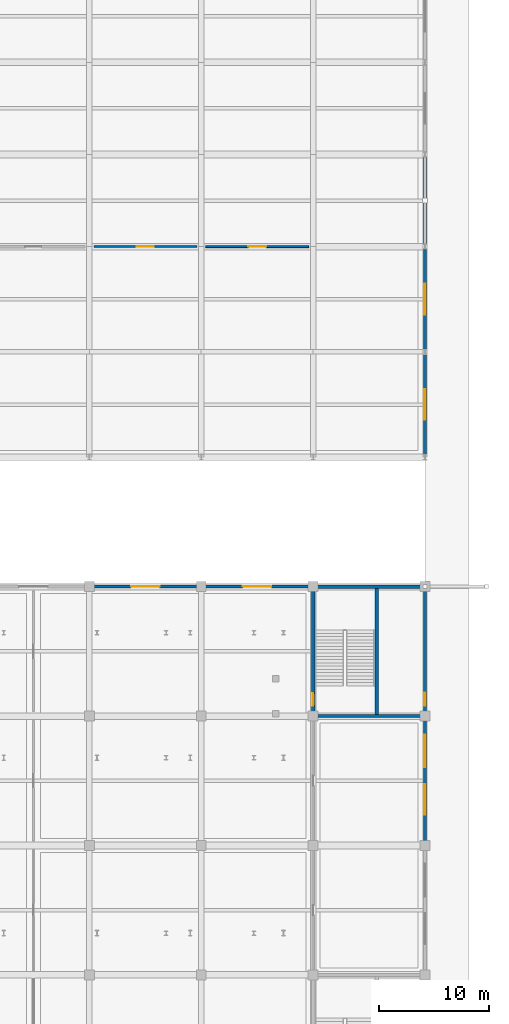
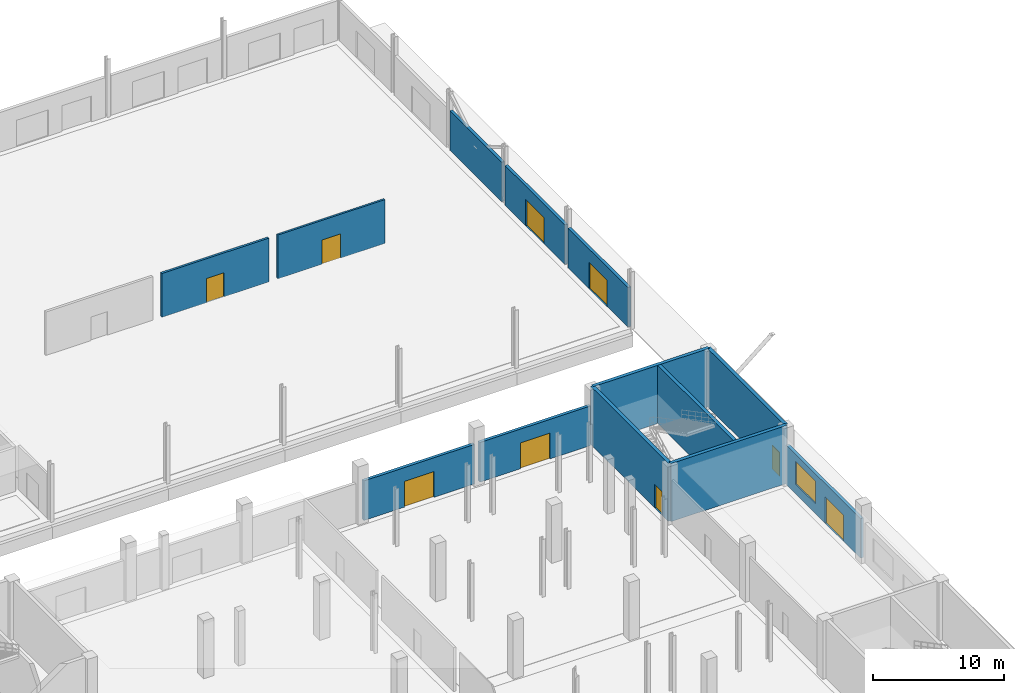
# One storey, part 96 of 124: 13 walls, 9 doors, 1 window, 10 openings.
"""IFC4 building model written with IfcOpenShell, lengths in metres."""

import ifcopenshell
import ifcopenshell.guid

model = None  # the IFC model being written
_history = None  # IfcOwnerHistory: only IFC2X3 demands one
_inside = {}  # id of a spatial element -> (the spatial element, [elements in it])
_under = {}  # id of a project, library or spatial element -> (it, [spatial elements below it])
_declared = {}  # id of a project -> (the project, [libraries it declares])
_typed = {}  # id of a type object -> (the type object, [elements of that type])
_made_of = {}  # id of a material, layer set ... -> (it, [elements and type objects made of it])


def new_model(schema):
    """Start an empty IFC model of exactly this schema.

    Asked for "IFC4X3", IfcOpenShell would pick the latest addendum, in which some entities
    have other attributes; the version numbers below select the first issue.
    IFC2X3 requires an IfcOwnerHistory on every rooted entity: one is made here for all.
    """
    global model, _history
    if schema == "IFC4X3":
        model = ifcopenshell.file(schema_version=(4, 3, 0, 0))
    else:
        model = ifcopenshell.file(schema=schema)
    _inside.clear()
    _under.clear()
    _declared.clear()
    _typed.clear()
    _made_of.clear()
    _history = None
    if model.schema == "IFC2X3":
        org = make("IfcOrganization", Name="unknown")
        user = make(
            "IfcPersonAndOrganization",
            ThePerson=make("IfcPerson", FamilyName="unknown"),
            TheOrganization=org,
        )
        app = make(
            "IfcApplication",
            ApplicationDeveloper=org,
            Version="unknown",
            ApplicationFullName="unknown",
            ApplicationIdentifier="unknown",
        )
        _history = make(
            "IfcOwnerHistory",
            OwningUser=user,
            OwningApplication=app,
            ChangeAction="ADDED",
            CreationDate=0,
        )
    return model


def make(cls, **values):
    """One entity of the class cls with the attributes given. An attribute that is None is left unset."""
    return model.create_entity(
        cls, **{name: value for name, value in values.items() if value is not None}
    )


def rooted(cls, **values):
    """An entity with a GlobalId (a new one), such as an element, a storey or a relation."""
    return make(cls, GlobalId=ifcopenshell.guid.new(), OwnerHistory=_history, **values)


def si_unit(unit_type, name, prefix=None):
    """IfcSIUnit, for example si_unit("LENGTHUNIT", "METRE", prefix="MILLI")."""
    return make("IfcSIUnit", UnitType=unit_type, Prefix=prefix, Name=name)


def assignment(units):
    """IfcUnitAssignment: the units of a project."""
    return None if units is None else make("IfcUnitAssignment", Units=units)


def point(xyz):
    """IfcCartesianPoint."""
    return None if xyz is None else make("IfcCartesianPoint", Coordinates=xyz)


def direction(xyz):
    """IfcDirection."""
    return None if xyz is None else make("IfcDirection", DirectionRatios=xyz)


def frame(location, z_axis=None, x_axis=None):
    """IfcAxis2Placement3D, a coordinate frame: its origin and axes. An axis left out is left unset."""
    return make(
        "IfcAxis2Placement3D",
        Location=point(location),
        Axis=direction(z_axis),
        RefDirection=direction(x_axis),
    )


def frame_2d(location, x_axis=None):
    """IfcAxis2Placement2D, a coordinate frame in the plane: its origin and x axis."""
    return make(
        "IfcAxis2Placement2D", Location=point(location), RefDirection=direction(x_axis)
    )


def origin():
    """The frame at (0, 0, 0) with its axes left unset."""
    return frame((0.0, 0.0, 0.0))


def place(relative_to, where):
    """IfcLocalPlacement: puts the frame where relative to a parent placement (None: the world)."""
    return make(
        "IfcLocalPlacement", PlacementRelTo=relative_to, RelativePlacement=where
    )


def context(
    kind, dimensions, precision=None, world=None, true_north=None, identifier=None
):
    """IfcGeometricRepresentationContext, for example the 3D "Model" context."""
    return make(
        "IfcGeometricRepresentationContext",
        ContextIdentifier=identifier,
        ContextType=kind,
        CoordinateSpaceDimension=dimensions,
        Precision=precision,
        WorldCoordinateSystem=world,
        TrueNorth=true_north,
    )


def subcontext(parent, identifier, kind, view, scale=None):
    """IfcGeometricRepresentationSubContext, for example "Body" below "Model"."""
    return make(
        "IfcGeometricRepresentationSubContext",
        ContextIdentifier=identifier,
        ContextType=kind,
        ParentContext=parent,
        TargetScale=scale,
        TargetView=view,
    )


def project(units=None, contexts=None):
    """IfcProject with its units and contexts."""
    return rooted(
        "IfcProject",
        Name="project",
        RepresentationContexts=contexts,
        UnitsInContext=assignment(units),
    )


def spatial(cls, under=None, at=None, **own):
    """A site, building, storey or space (cls), placed at a placement, below another one or the project."""
    s = rooted(cls, ObjectPlacement=at, **own)
    if under is not None:
        _under.setdefault(under.id(), (under, []))[1].append(s)
    return s


def profile(cls, at=None, kind="AREA", **sizes):
    """A parametric profile (cls). Its sizes go by their IFC names, for example OverallWidth=200.0."""
    return make(cls, ProfileType=kind, Position=at, **sizes)


def rectangle(**sizes):
    """IfcRectangleProfileDef."""
    return profile("IfcRectangleProfileDef", **sizes)


def extrude(swept, where, along, depth):
    """IfcExtrudedAreaSolid: the profile swept, set in the frame where, extruded along a direction by depth."""
    return make(
        "IfcExtrudedAreaSolid",
        SweptArea=swept,
        Position=where,
        ExtrudedDirection=direction(along),
        Depth=depth,
    )


def shape(context_of_items, identifier, shape_type, items):
    """IfcShapeRepresentation: the items that make up one representation, for example the "Body"."""
    return make(
        "IfcShapeRepresentation",
        ContextOfItems=context_of_items,
        RepresentationIdentifier=identifier,
        RepresentationType=shape_type,
        Items=items,
    )


def material(Name=None, Category=None):
    """IfcMaterial."""
    return make("IfcMaterial", Name=Name, Category=Category)


def layer(
    of_material, thickness, ventilated=None, Name=None, Category=None, Priority=None
):
    """IfcMaterialLayer: one layer of a wall or slab, of a material (None: an air gap)."""
    return make(
        "IfcMaterialLayer",
        Material=of_material,
        LayerThickness=thickness,
        IsVentilated=ventilated,
        Name=Name,
        Category=Category,
        Priority=Priority,
    )


def layer_set(layers, Name=None):
    """IfcMaterialLayerSet."""
    return make("IfcMaterialLayerSet", MaterialLayers=layers, LayerSetName=Name)


def made_of(thing, what):
    """Note that an element or type object is made of a material, layer set ...; save() writes the relation."""
    if what is not None:
        _made_of.setdefault(what.id(), (what, []))[1].append(thing)
    return thing


def type_object(cls, material=None, **own):
    """A type object (cls), such as IfcWallType, which elements share."""
    return made_of(rooted(cls, **own), material)


def element(
    cls,
    number,
    at=None,
    inside=None,
    cuts=None,
    type_object=None,
    material=None,
    context=None,
    identifier="Body",
    shape_type=None,
    held_by="IfcProductDefinitionShape",
    body=None,
    shapes=None,
    **own,
):
    """One element of the class cls, such as IfcWall. Its Tag is "e" and its number.

    at: its placement. inside: the storey or other place that contains it. cuts: it is an
    opening in that element (IfcRelVoidsElement). A single representation is given by context,
    identifier, shape_type and body (its items); several are given by shapes. held_by: the class
    of the entity that holds the representations. save() writes the other relations.
    """
    e = rooted(cls, Tag="e%d" % number, ObjectPlacement=at, **own)
    if body is not None:
        shapes = [shape(context, identifier, shape_type, body)]
    if shapes is not None:
        e.Representation = make(held_by, Representations=shapes)
    if inside is not None:
        _inside.setdefault(inside.id(), (inside, []))[1].append(e)
    if cuts is not None:
        rooted(
            "IfcRelVoidsElement", RelatingBuildingElement=cuts, RelatedOpeningElement=e
        )
    if type_object is not None:
        _typed.setdefault(type_object.id(), (type_object, []))[1].append(e)
    return made_of(e, material)


def fill(opening, filler):
    """IfcRelFillsElement: the door or window that sits in an opening."""
    return rooted(
        "IfcRelFillsElement",
        RelatingOpeningElement=opening,
        RelatedBuildingElement=filler,
    )


def aggregate(whole, parts):
    """IfcRelAggregates: a whole, such as a stair, and the parts it consists of."""
    return rooted("IfcRelAggregates", RelatingObject=whole, RelatedObjects=parts)


def save(model, path):
    """Write the relations noted so far, then the file.

    IfcRelAggregates (storeys below a building ...), IfcRelContainedInSpatialStructure (elements
    in a storey), IfcRelDefinesByType, IfcRelAssociatesMaterial and IfcRelDeclares: one each for
    every whole, place, type object, material and project.
    """
    for whole, parts in _under.values():
        aggregate(whole, parts)
    for where, things in _inside.values():
        rooted(
            "IfcRelContainedInSpatialStructure",
            RelatedElements=things,
            RelatingStructure=where,
        )
    for kind, things in _typed.values():
        rooted("IfcRelDefinesByType", RelatedObjects=things, RelatingType=kind)
    for what, things in _made_of.values():
        rooted("IfcRelAssociatesMaterial", RelatedObjects=things, RelatingMaterial=what)
    for by, libraries in _declared.values():
        rooted("IfcRelDeclares", RelatingContext=by, RelatedDefinitions=libraries)
    model.write(path)


model = new_model("IFC4")

# Units and contexts
model_context = context("Model", 3, precision=1e-05, world=origin(), true_north=direction((0.0, 1.0)))
body_context = subcontext(model_context, "Body", "Model", "MODEL_VIEW")
ifc_project = project(units=[si_unit("LENGTHUNIT", "METRE"), si_unit("AREAUNIT", "SQUARE_METRE"), si_unit("VOLUMEUNIT", "CUBIC_METRE"), si_unit("PLANEANGLEUNIT", "RADIAN"), si_unit("MASSUNIT", "GRAM", prefix="KILO")], contexts=[model_context])

# Site, building, storey
site_placement = place(None, origin())
site = spatial("IfcSite", under=ifc_project, at=site_placement, CompositionType="ELEMENT")
building_placement = place(site_placement, origin())
building = spatial("IfcBuilding", under=site, at=building_placement, Name="Brelvane Convention Centre", CompositionType="ELEMENT")
storey_placement = place(building_placement, origin())
storey = spatial("IfcBuildingStorey", under=building, at=storey_placement, Name="L00", CompositionType="ELEMENT", Elevation=0.0)

# Wall, openings, door, window
ifc_material_1 = material(Name="Insulated Autoclaved Aerated Concrete Block Grade 1", Category="concrete")
ifc_layer_1 = layer(ifc_material_1, 0.260009765625)
ifc_layer_set_1 = layer_set([ifc_layer_1], Name="Insulated Autoclaved Aerated Concrete Block Grade 1")
wall_type_1 = type_object("IfcWallType", Name="Exterior Wall EW-02", PredefinedType="STANDARD", material=ifc_layer_set_1)
wall_1_placement = place(storey_placement, frame((224.39990234375, 64.43994140625, 0.0), z_axis=(0.0, 0.0, 1.0), x_axis=(0.0, 1.0, 0.0)))
wall_1 = element("IfcWall", 1, at=wall_1_placement, inside=storey, type_object=wall_type_1, Name="Exterior Wall L00 V2E-L00-4", PredefinedType="STANDARD", context=body_context, shape_type="SweptSolid", body=[
    extrude(rectangle(XDim=11.320068359375, YDim=0.260009765625, at=frame_2d((5.66015625, 0.0))), origin(), (0.0, 0.0, 1.0), 3.679931640625),
])
opening_1_placement = place(wall_1_placement, frame((2.56201171875, 0.0, 0.0)))
opening_1 = element("IfcOpeningElement", 2, at=opening_1_placement, cuts=wall_1, Name="Opening DR-EX-02", PredefinedType="OPENING", context=body_context, shape_type="SweptSolid", body=[
    extrude(rectangle(XDim=2.800048828125, YDim=2.449951171875, at=frame_2d((1.39990234375, 1.22509765625))), frame((0.0, 0.139892578125, 0.0), z_axis=(0.0, -1.0, 0.0), x_axis=(1.0, 0.0, 0.0)), (0.0, 0.0, 1.0), 0.280029296875),
])
opening_2_placement = place(wall_1_placement, frame((6.876953125, 0.0, 0.89990234375)))
opening_2 = element("IfcOpeningElement", 3, at=opening_2_placement, cuts=wall_1, Name="Opening WN-02", PredefinedType="OPENING", context=body_context, shape_type="SweptSolid", body=[
    extrude(rectangle(XDim=3.0, YDim=2.10009765625, at=frame_2d((1.5, 1.050048828125))), frame((0.0, 0.139892578125, 0.0), z_axis=(0.0, -1.0, 0.0), x_axis=(1.0, 0.0, 0.0)), (0.0, 0.0, 1.0), 0.280029296875),
])
ifc_material_2 = material(Name="Anodised Aluminium Alloy 6063-T6", Category="aluminium")
door_type_1 = type_object("IfcDoorType", Name="Exterior Door DR-EX-02", OperationType="NOTDEFINED", PredefinedType="DOOR", material=ifc_material_2)
door_1_placement = place(opening_1_placement, frame((2.800048828125, 0.0, 0.0), z_axis=(0.0, 0.0, 1.0), x_axis=(-1.0, 0.0, 0.0)))
door_1 = element("IfcDoor", 4, at=door_1_placement, inside=storey, type_object=door_type_1, Name="Final Exit Door PLEN-E4 (DR-EX-02)", OperationType="DOUBLE_DOOR_SINGLE_SWING", OverallHeight=2.449951171875, OverallWidth=2.800048828125, PredefinedType="DOOR", context=body_context, shape_type="SweptSolid", body=[
    extrude(rectangle(XDim=2.800048828125, YDim=2.449951171875, at=frame_2d((1.39990234375, 1.22509765625))), frame((0.0, 0.02490234375, 0.0), z_axis=(0.0, -1.0, 0.0), x_axis=(1.0, 0.0, 0.0)), (0.0, 0.0, 1.0), 0.050048828125),
])
fill(opening_1, door_1)
ifc_material_3 = material(Name="Double Glazed Low-E Laminated Unit")
window_type = type_object("IfcWindowType", Name="Window WN-02", PartitioningType="TRIPLE_PANEL_VERTICAL", PredefinedType="WINDOW", material=ifc_material_3)
window_placement = place(opening_2_placement, origin())
window = element("IfcWindow", 5, at=window_placement, inside=storey, type_object=window_type, Name="Facade Window L00-V2E-L00-4-009", OverallHeight=2.10009765625, OverallWidth=3.0, PartitioningType="TRIPLE_PANEL_VERTICAL", PredefinedType="WINDOW", context=body_context, shape_type="SweptSolid", body=[
    extrude(rectangle(XDim=3.0, YDim=2.10009765625, at=frame_2d((1.5, 1.050048828125))), frame((0.0, 0.030029296875, 0.0), z_axis=(0.0, -1.0, 0.0), x_axis=(1.0, 0.0, 0.0)), (0.0, 0.0, 1.0), 0.06005859375),
])
fill(opening_2, window)

# Wall, opening, door
wall_2_placement = place(storey_placement, frame((194.0400390625, 87.800048828125, 0.0), z_axis=(0.0, 0.0, 1.0), x_axis=(1.0, 0.0, 0.0)))
wall_2 = element("IfcWall", 6, at=wall_2_placement, inside=storey, type_object=wall_type_1, Name="Exterior Wall L00 V2N-L00-4", PredefinedType="STANDARD", context=body_context, shape_type="SweptSolid", body=[
    extrude(rectangle(XDim=9.719970703125, YDim=0.260009765625, at=frame_2d((4.85986328125, 0.0))), origin(), (0.0, 0.0, 1.0), 3.679931640625),
])
opening_3_placement = place(wall_2_placement, frame((3.56005859375, 0.0, 0.0)))
opening_3 = element("IfcOpeningElement", 7, at=opening_3_placement, cuts=wall_2, Name="Opening DR-EX-03", PredefinedType="OPENING", context=body_context, shape_type="SweptSolid", body=[
    extrude(rectangle(XDim=2.60009765625, YDim=2.39990234375, at=frame_2d((1.300048828125, 1.199951171875))), frame((0.0, 0.139892578125, 0.0), z_axis=(0.0, -1.0, 0.0), x_axis=(1.0, 0.0, 0.0)), (0.0, 0.0, 1.0), 0.280029296875),
])
ifc_material_4 = material(Name="Anodised Aluminium Alloy 6063-T6", Category="aluminium")
door_type_2 = type_object("IfcDoorType", Name="Exterior Door DR-EX-03", OperationType="NOTDEFINED", PredefinedType="DOOR", material=ifc_material_4)
door_2_placement = place(opening_3_placement, origin())
door_2 = element("IfcDoor", 8, at=door_2_placement, inside=storey, type_object=door_type_2, Name="Final Exit Door PLEN-N4 (DR-EX-03)", OperationType="DOUBLE_DOOR_SINGLE_SWING", OverallHeight=2.39990234375, OverallWidth=2.60009765625, PredefinedType="DOOR", context=body_context, shape_type="SweptSolid", body=[
    extrude(rectangle(XDim=2.60009765625, YDim=2.39990234375, at=frame_2d((1.300048828125, 1.199951171875))), frame((0.0, 0.02490234375, 0.0), z_axis=(0.0, -1.0, 0.0), x_axis=(1.0, 0.0, 0.0)), (0.0, 0.0, 1.0), 0.050048828125),
])
fill(opening_3, door_2)

wall_3_placement = place(storey_placement, frame((204.239990234375, 87.800048828125, 0.0), z_axis=(0.0, 0.0, 1.0), x_axis=(1.0, 0.0, 0.0)))
wall_3 = element("IfcWall", 9, at=wall_3_placement, inside=storey, type_object=wall_type_1, Name="Exterior Wall L00 V2N-L00-5", PredefinedType="STANDARD", context=body_context, shape_type="SweptSolid", body=[
    extrude(rectangle(XDim=9.719970703125, YDim=0.260009765625, at=frame_2d((4.85986328125, 0.0))), origin(), (0.0, 0.0, 1.0), 3.679931640625),
])
opening_4_placement = place(wall_3_placement, frame((3.56005859375, 0.0, 0.0)))
opening_4 = element("IfcOpeningElement", 10, at=opening_4_placement, cuts=wall_3, Name="Opening DR-EX-03", PredefinedType="OPENING", context=body_context, shape_type="SweptSolid", body=[
    extrude(rectangle(XDim=2.60009765625, YDim=2.39990234375, at=frame_2d((1.300048828125, 1.199951171875))), frame((0.0, 0.139892578125, 0.0), z_axis=(0.0, -1.0, 0.0), x_axis=(1.0, 0.0, 0.0)), (0.0, 0.0, 1.0), 0.280029296875),
])
door_3_placement = place(opening_4_placement, origin())
door_3 = element("IfcDoor", 11, at=door_3_placement, inside=storey, type_object=door_type_2, Name="Final Exit Door PLEN-N5 (DR-EX-03)", OperationType="DOUBLE_DOOR_SINGLE_SWING", OverallHeight=2.39990234375, OverallWidth=2.60009765625, PredefinedType="DOOR", context=body_context, shape_type="SweptSolid", body=[
    extrude(rectangle(XDim=2.60009765625, YDim=2.39990234375, at=frame_2d((1.300048828125, 1.199951171875))), frame((0.0, 0.02490234375, 0.0), z_axis=(0.0, -1.0, 0.0), x_axis=(1.0, 0.0, 0.0)), (0.0, 0.0, 1.0), 0.050048828125),
])
fill(opening_4, door_3)

wall_4_placement = place(storey_placement, frame((224.39990234375, 99.840087890625, 0.0), z_axis=(0.0, 0.0, 1.0), x_axis=(0.0, 1.0, 0.0)))
wall_4 = element("IfcWall", 12, at=wall_4_placement, inside=storey, type_object=wall_type_1, Name="Exterior Wall L00 V3E-L00-1", PredefinedType="STANDARD", context=body_context, shape_type="SweptSolid", body=[
    extrude(rectangle(XDim=9.119873046875, YDim=0.260009765625, at=frame_2d((4.56005859375, 0.0))), origin(), (0.0, 0.0, 1.0), 3.679931640625),
])
opening_5_placement = place(wall_4_placement, frame((3.159912109375, 0.0, 0.0)))
opening_5 = element("IfcOpeningElement", 13, at=opening_5_placement, cuts=wall_4, Name="Opening DR-EX-02", PredefinedType="OPENING", context=body_context, shape_type="SweptSolid", body=[
    extrude(rectangle(XDim=2.800048828125, YDim=2.449951171875, at=frame_2d((1.39990234375, 1.22509765625))), frame((0.0, 0.139892578125, 0.0), z_axis=(0.0, -1.0, 0.0), x_axis=(1.0, 0.0, 0.0)), (0.0, 0.0, 1.0), 0.280029296875),
])
door_4_placement = place(opening_5_placement, frame((2.800048828125, 0.0, 0.0), z_axis=(0.0, 0.0, 1.0), x_axis=(-1.0, 0.0, 0.0)))
door_4 = element("IfcDoor", 14, at=door_4_placement, inside=storey, type_object=door_type_1, Name="Final Exit Door BALL-E1 (DR-EX-02)", OperationType="DOUBLE_DOOR_SINGLE_SWING", OverallHeight=2.449951171875, OverallWidth=2.800048828125, PredefinedType="DOOR", context=body_context, shape_type="SweptSolid", body=[
    extrude(rectangle(XDim=2.800048828125, YDim=2.449951171875, at=frame_2d((1.39990234375, 1.22509765625))), frame((0.0, 0.02490234375, 0.0), z_axis=(0.0, -1.0, 0.0), x_axis=(1.0, 0.0, 0.0)), (0.0, 0.0, 1.0), 0.050048828125),
])
fill(opening_5, door_4)

wall_5_placement = place(storey_placement, frame((224.39990234375, 109.43994140625, 0.0), z_axis=(0.0, 0.0, 1.0), x_axis=(0.0, 1.0, 0.0)))
wall_5 = element("IfcWall", 15, at=wall_5_placement, inside=storey, type_object=wall_type_1, Name="Exterior Wall L00 V3E-L00-2", PredefinedType="STANDARD", context=body_context, shape_type="SweptSolid", body=[
    extrude(rectangle(XDim=9.1201171875, YDim=0.260009765625, at=frame_2d((4.56005859375, 0.0))), origin(), (0.0, 0.0, 1.0), 3.679931640625),
])
opening_6_placement = place(wall_5_placement, frame((3.159912109375, 0.0, 0.0)))
opening_6 = element("IfcOpeningElement", 16, at=opening_6_placement, cuts=wall_5, Name="Opening DR-EX-02", PredefinedType="OPENING", context=body_context, shape_type="SweptSolid", body=[
    extrude(rectangle(XDim=2.800048828125, YDim=2.449951171875, at=frame_2d((1.39990234375, 1.22509765625))), frame((0.0, 0.139892578125, 0.0), z_axis=(0.0, -1.0, 0.0), x_axis=(1.0, 0.0, 0.0)), (0.0, 0.0, 1.0), 0.280029296875),
])
door_5_placement = place(opening_6_placement, frame((2.800048828125, 0.0, 0.0), z_axis=(0.0, 0.0, 1.0), x_axis=(-1.0, 0.0, 0.0)))
door_5 = element("IfcDoor", 17, at=door_5_placement, inside=storey, type_object=door_type_1, Name="Final Exit Door BALL-E2 (DR-EX-02)", OperationType="DOUBLE_DOOR_SINGLE_SWING", OverallHeight=2.449951171875, OverallWidth=2.800048828125, PredefinedType="DOOR", context=body_context, shape_type="SweptSolid", body=[
    extrude(rectangle(XDim=2.800048828125, YDim=2.449951171875, at=frame_2d((1.39990234375, 1.22509765625))), frame((0.0, 0.02490234375, 0.0), z_axis=(0.0, -1.0, 0.0), x_axis=(1.0, 0.0, 0.0)), (0.0, 0.0, 1.0), 0.050048828125),
])
fill(opening_6, door_5)

# Wall
ifc_material_5 = material(Name="Concrete M40", Category="concrete")
ifc_layer_2 = layer(ifc_material_5, 0.25)
ifc_layer_set_2 = layer_set([ifc_layer_2], Name="Concrete M40")
wall_type_2 = type_object("IfcWallType", Name="Exterior Wall EW-09", PredefinedType="SOLIDWALL", material=ifc_layer_set_2)
wall_6_placement = place(storey_placement, frame((224.39990234375, 119.0400390625, 0.0), z_axis=(0.0, 0.0, 1.0), x_axis=(0.0, 1.0, 0.0)))
element("IfcWall", 18, at=wall_6_placement, inside=storey, type_object=wall_type_2, Name="Exterior Wall L00 V3E-L00-3", PredefinedType="SOLIDWALL", context=body_context, shape_type="SweptSolid", body=[
    extrude(rectangle(XDim=7.919921875, YDim=0.25, at=frame_2d((3.9599609375, 0.0))), origin(), (0.0, 0.0, 1.0), 3.679931640625),
])

# Wall, opening, door
ifc_material_6 = material(Name="Acoustic Operable Gypsum Composite Panel Board Class A")
ifc_layer_3 = layer(ifc_material_6, 0.169921875)
ifc_layer_set_3 = layer_set([ifc_layer_3], Name="Acoustic Operable Gypsum Composite Panel Board Class A")
wall_type_3 = type_object("IfcWallType", Name="Interior Wall IW-OP-170", PredefinedType="MOVABLE", material=ifc_layer_set_3)
wall_7_placement = place(storey_placement, frame((204.39990234375, 118.800048828125, 0.0), z_axis=(0.0, 0.0, 1.0), x_axis=(1.0, 0.0, 0.0)))
wall_7 = element("IfcWall", 19, at=wall_7_placement, inside=storey, type_object=wall_type_3, Name="Operable Wall L00-BALL-DIV-C", PredefinedType="MOVABLE", context=body_context, shape_type="SweptSolid", body=[
    extrude(rectangle(XDim=9.400146484375, YDim=0.169921875, at=frame_2d((4.7001953125, 0.0))), origin(), (0.0, 0.0, 1.0), 4.080078125),
])
opening_7_placement = place(wall_7_placement, frame((3.875, 0.0, 0.0)))
opening_7 = element("IfcOpeningElement", 20, at=opening_7_placement, cuts=wall_7, Name="Opening DR-IN-17", PredefinedType="OPENING", context=body_context, shape_type="SweptSolid", body=[
    extrude(rectangle(XDim=1.64990234375, YDim=2.260009765625, at=frame_2d((0.824951171875, 1.1298828125))), frame((0.0, 0.094970703125, 0.0), z_axis=(0.0, -1.0, 0.0), x_axis=(1.0, 0.0, 0.0)), (0.0, 0.0, 1.0), 0.18994140625),
])
ifc_material_7 = material(Name="Solid-Core Fire-Rated Hardwood Leaf Grade 1", Category="wood")
door_type_3 = type_object("IfcDoorType", Name="Interior Door DR-IN-17", OperationType="NOTDEFINED", PredefinedType="DOOR", material=ifc_material_7)
door_6_placement = place(opening_7_placement, origin())
door_6 = element("IfcDoor", 21, at=door_6_placement, inside=storey, type_object=door_type_3, Name="Interior Door L00-BALL-DIV-C (DR-IN-17)", OperationType="DOUBLE_DOOR_SINGLE_SWING", OverallHeight=2.260009765625, OverallWidth=1.64990234375, PredefinedType="DOOR", context=body_context, shape_type="SweptSolid", body=[
    extrude(rectangle(XDim=1.64990234375, YDim=2.260009765625, at=frame_2d((0.824951171875, 1.1298828125))), frame((0.0, 0.02490234375, 0.0), z_axis=(0.0, -1.0, 0.0), x_axis=(1.0, 0.0, 0.0)), (0.0, 0.0, 1.0), 0.050048828125),
])
fill(opening_7, door_6)

ifc_material_8 = material(Name="Acoustic Operable Gypsum Composite Panel Board Class A")
ifc_layer_4 = layer(ifc_material_8, 0.195068359375)
ifc_layer_set_4 = layer_set([ifc_layer_4], Name="Acoustic Operable Gypsum Composite Panel Board Class A")
wall_type_4 = type_object("IfcWallType", Name="Interior Wall IW-OP-195", PredefinedType="MOVABLE", material=ifc_layer_set_4)
wall_8_placement = place(storey_placement, frame((194.199951171875, 118.800048828125, 0.0), z_axis=(0.0, 0.0, 1.0), x_axis=(1.0, 0.0, 0.0)))
wall_8 = element("IfcWall", 22, at=wall_8_placement, inside=storey, type_object=wall_type_4, Name="Operable Wall L00-BALL-DIV-B", PredefinedType="MOVABLE", context=body_context, shape_type="SweptSolid", body=[
    extrude(rectangle(XDim=9.400146484375, YDim=0.195068359375, at=frame_2d((4.7001953125, 0.0))), origin(), (0.0, 0.0, 1.0), 4.080078125),
])
opening_8_placement = place(wall_8_placement, frame((3.925048828125, 0.0, 0.0)))
opening_8 = element("IfcOpeningElement", 23, at=opening_8_placement, cuts=wall_8, Name="Opening DR-IN-16", PredefinedType="OPENING", context=body_context, shape_type="SweptSolid", body=[
    extrude(rectangle(XDim=1.550048828125, YDim=2.239990234375, at=frame_2d((0.77490234375, 1.1201171875))), frame((0.0, 0.107421875, 0.0), z_axis=(0.0, -1.0, 0.0), x_axis=(1.0, 0.0, 0.0)), (0.0, 0.0, 1.0), 0.215087890625),
])
ifc_material_9 = material(Name="Solid-Core Fire-Rated Hardwood Leaf Grade 1", Category="wood")
door_type_4 = type_object("IfcDoorType", Name="Interior Door DR-IN-16", OperationType="NOTDEFINED", PredefinedType="DOOR", material=ifc_material_9)
door_7_placement = place(opening_8_placement, origin())
door_7 = element("IfcDoor", 24, at=door_7_placement, inside=storey, type_object=door_type_4, Name="Interior Door L00-BALL-DIV-B (DR-IN-16)", OperationType="DOUBLE_DOOR_SINGLE_SWING", OverallHeight=2.239990234375, OverallWidth=1.550048828125, PredefinedType="DOOR", context=body_context, shape_type="SweptSolid", body=[
    extrude(rectangle(XDim=1.550048828125, YDim=2.239990234375, at=frame_2d((0.77490234375, 1.1201171875))), frame((0.0, 0.02490234375, 0.0), z_axis=(0.0, -1.0, 0.0), x_axis=(1.0, 0.0, 0.0)), (0.0, 0.0, 1.0), 0.050048828125),
])
fill(opening_8, door_7)

# Walls
ifc_material_10 = material(Name="Concrete M50", Category="concrete")
ifc_layer_5 = layer(ifc_material_10, 0.300048828125)
ifc_layer_set_5 = layer_set([ifc_layer_5], Name="Concrete M50")
wall_type_5 = type_object("IfcWallType", Name="Structural Wall WL-CORE-300", PredefinedType="SHEAR", material=ifc_layer_set_5)
for number, where, z_axis, x_axis, name in (
    (25, (214.199951171875, 76.0, 0.0), (0.0, 0.0, 1.0), (1.0, 0.0, 0.0), "Stair Core ST-16 Wall S (L00)"),
    (26, (214.199951171875, 87.800048828125, 0.0), (0.0, 0.0, 1.0), (1.0, 0.0, 0.0), "Stair Core ST-16 Wall N (L00)"),
):
    element("IfcWall", number, at=place(storey_placement, frame(where, z_axis=z_axis, x_axis=x_axis)), inside=storey, type_object=wall_type_5, Name=name, PredefinedType="SHEAR", context=body_context, shape_type="SweptSolid", body=[
        extrude(rectangle(XDim=10.199951171875, YDim=0.300048828125, at=frame_2d((5.10009765625, 0.0))), origin(), (0.0, 0.0, 1.0), 5.39990234375),
    ])

# Wall, opening, door
wall_9_placement = place(storey_placement, frame((214.199951171875, 76.0, 0.0), z_axis=(0.0, 0.0, 1.0), x_axis=(0.0, 1.0, 0.0)))
wall_9 = element("IfcWall", 27, at=wall_9_placement, inside=storey, type_object=wall_type_5, Name="Stair Core ST-16 Wall W (L00)", PredefinedType="SHEAR", context=body_context, shape_type="SweptSolid", body=[
    extrude(rectangle(XDim=11.800048828125, YDim=0.300048828125, at=frame_2d((5.89990234375, 0.0))), origin(), (0.0, 0.0, 1.0), 5.39990234375),
])
opening_9_placement = place(wall_9_placement, frame((0.919921875, 0.0, 0.0)))
opening_9 = element("IfcOpeningElement", 28, at=opening_9_placement, cuts=wall_9, Name="Opening DR-IN-04L", PredefinedType="OPENING", context=body_context, shape_type="SweptSolid", body=[
    extrude(rectangle(XDim=1.159912109375, YDim=2.199951171875, at=frame_2d((0.580078125, 1.10009765625))), frame((0.0, 0.159912109375, 0.0), z_axis=(0.0, -1.0, 0.0), x_axis=(1.0, 0.0, 0.0)), (0.0, 0.0, 1.0), 0.320068359375),
])
ifc_material_11 = material(Name="Galvanised Hollow-Metal Fire Door Steel E250", Category="steel")
door_type_5 = type_object("IfcDoorType", Name="Interior Door DR-IN-04L", OperationType="NOTDEFINED", PredefinedType="DOOR", material=ifc_material_11)
door_8_placement = place(opening_9_placement, origin())
door_8 = element("IfcDoor", 29, at=door_8_placement, inside=storey, type_object=door_type_5, Name="Stair ST-16 Entry Door (L00)", OperationType="SINGLE_SWING_LEFT", OverallHeight=2.199951171875, OverallWidth=1.159912109375, PredefinedType="DOOR", context=body_context, shape_type="SweptSolid", body=[
    extrude(rectangle(XDim=1.159912109375, YDim=2.199951171875, at=frame_2d((0.580078125, 1.10009765625))), frame((0.0, 0.02490234375, 0.0), z_axis=(0.0, -1.0, 0.0), x_axis=(1.0, 0.0, 0.0)), (0.0, 0.0, 1.0), 0.050048828125),
])
fill(opening_9, door_8)

wall_10_placement = place(storey_placement, frame((224.39990234375, 76.0, 0.0), z_axis=(0.0, 0.0, 1.0), x_axis=(0.0, 1.0, 0.0)))
wall_10 = element("IfcWall", 30, at=wall_10_placement, inside=storey, type_object=wall_type_5, Name="Stair Core ST-16 Wall E (L00)", PredefinedType="SHEAR", context=body_context, shape_type="SweptSolid", body=[
    extrude(rectangle(XDim=11.800048828125, YDim=0.300048828125, at=frame_2d((5.89990234375, 0.0))), origin(), (0.0, 0.0, 1.0), 5.39990234375),
])
opening_10_placement = place(wall_10_placement, frame((0.919921875, 0.0, 0.0)))
opening_10 = element("IfcOpeningElement", 31, at=opening_10_placement, cuts=wall_10, Name="Opening DR-EX-08", PredefinedType="OPENING", context=body_context, shape_type="SweptSolid", body=[
    extrude(rectangle(XDim=1.199951171875, YDim=2.199951171875, at=frame_2d((0.60009765625, 1.10009765625))), frame((0.0, 0.159912109375, 0.0), z_axis=(0.0, -1.0, 0.0), x_axis=(1.0, 0.0, 0.0)), (0.0, 0.0, 1.0), 0.320068359375),
])
ifc_material_12 = material(Name="Anodised Aluminium Alloy 6063-T6", Category="aluminium")
door_type_6 = type_object("IfcDoorType", Name="Exterior Door DR-EX-08", OperationType="NOTDEFINED", PredefinedType="DOOR", material=ifc_material_12)
door_9_placement = place(opening_10_placement, frame((1.199951171875, 0.0, 0.0), z_axis=(0.0, 0.0, 1.0), x_axis=(-1.0, 0.0, 0.0)))
door_9 = element("IfcDoor", 32, at=door_9_placement, inside=storey, type_object=door_type_6, Name="Stair ST-16 Final Exit Door", OperationType="SINGLE_SWING_LEFT", OverallHeight=2.199951171875, OverallWidth=1.199951171875, PredefinedType="DOOR", context=body_context, shape_type="SweptSolid", body=[
    extrude(rectangle(XDim=1.199951171875, YDim=2.199951171875, at=frame_2d((0.60009765625, 1.10009765625))), frame((0.0, 0.02490234375, 0.0), z_axis=(0.0, -1.0, 0.0), x_axis=(1.0, 0.0, 0.0)), (0.0, 0.0, 1.0), 0.050048828125),
])
fill(opening_10, door_9)

# Wall
wall_11_placement = place(storey_placement, frame((220.0, 76.14990234375, 0.0), z_axis=(0.0, 0.0, 1.0), x_axis=(0.0, 1.0, 0.0)))
element("IfcWall", 33, at=wall_11_placement, inside=storey, type_object=wall_type_5, Name="Stair Core ST-16 Well Wall (L00)", PredefinedType="SHEAR", context=body_context, shape_type="SweptSolid", body=[
    extrude(rectangle(XDim=11.5, YDim=0.300048828125, at=frame_2d((5.75, 0.0))), origin(), (0.0, 0.0, 1.0), 5.39990234375),
])

save(model, "model.ifc")
